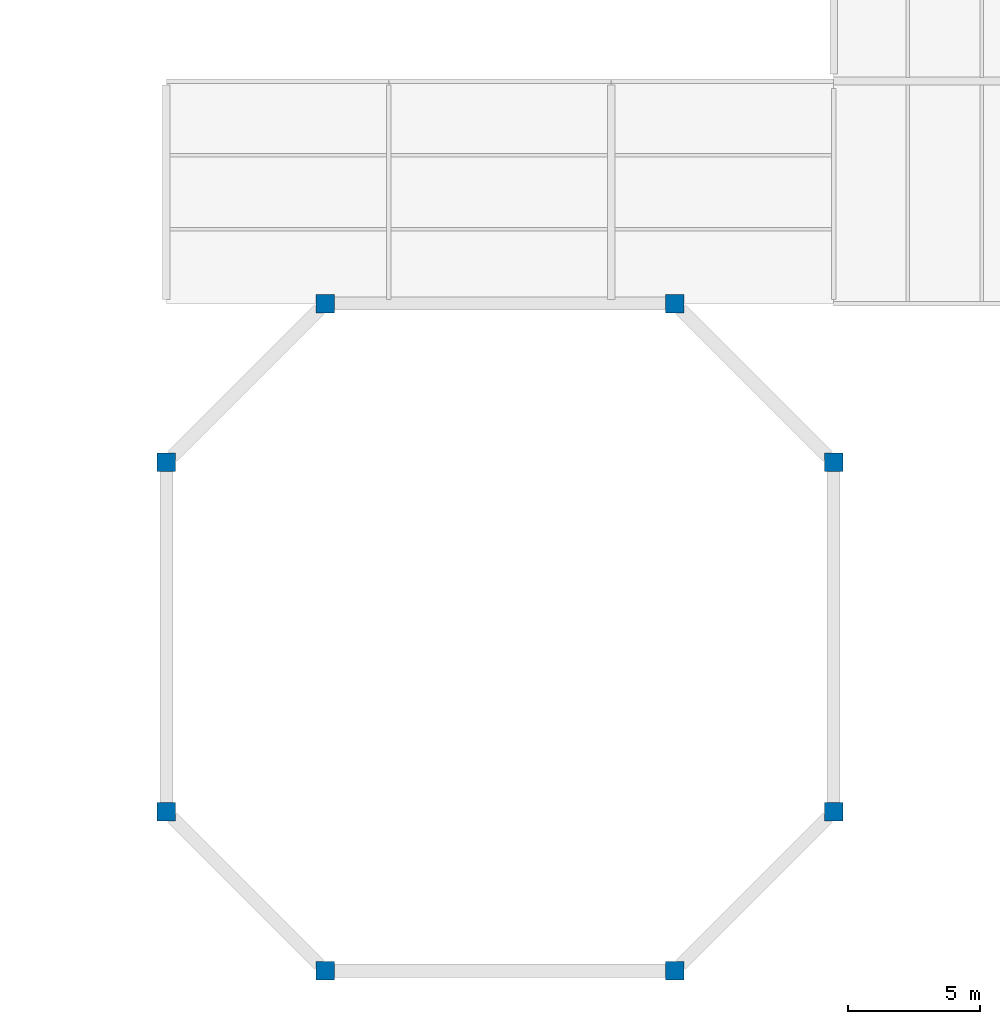
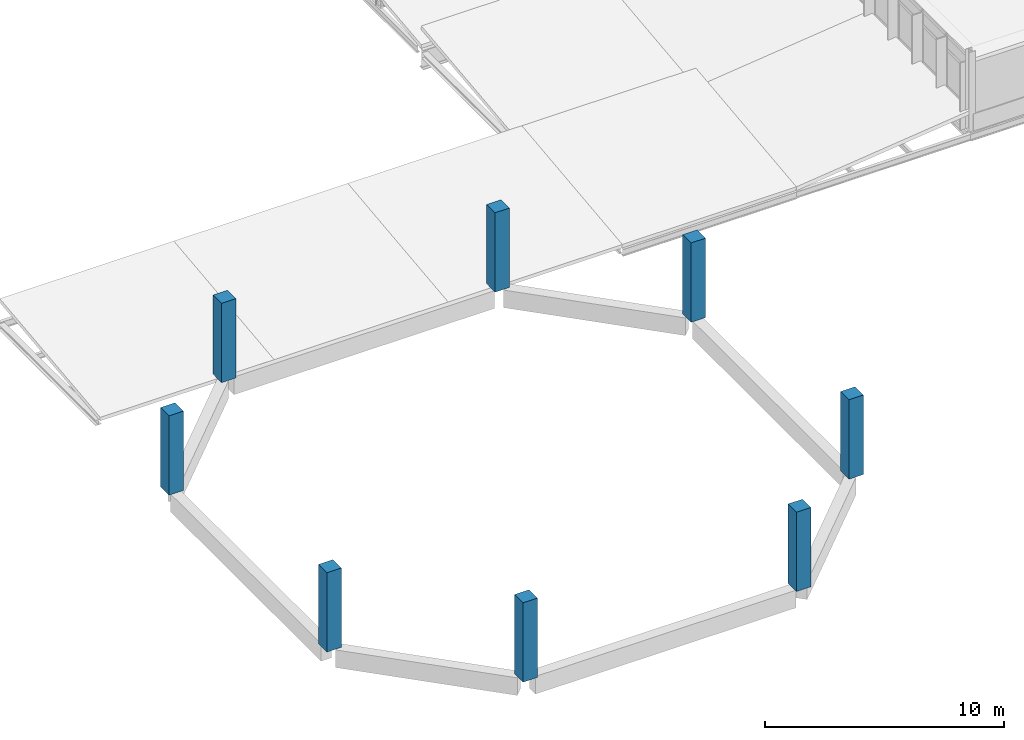
# One storey, part 1 of 131: 8 columns.
"""IFC4 building model written with IfcOpenShell, lengths in metres."""

from ifc_helpers import new_model, si_unit, direction, frame, origin, origin_2d, place, context, subcontext, project, spatial, rectangle, extrude, material, material_profile, profile_set, type_object, element, save


model = new_model("IFC4")

# Units and contexts
model_context = context("Model", 3, precision=1e-05, world=origin(), true_north=direction((0.0, 1.0)))
body_context = subcontext(model_context, "Body", "Model", "MODEL_VIEW")
ifc_project = project(units=[si_unit("LENGTHUNIT", "METRE"), si_unit("AREAUNIT", "SQUARE_METRE"), si_unit("VOLUMEUNIT", "CUBIC_METRE"), si_unit("PLANEANGLEUNIT", "RADIAN"), si_unit("MASSUNIT", "GRAM", prefix="KILO")], contexts=[model_context])

# Site, building, storey
site_placement = place(None, origin())
site = spatial("IfcSite", under=ifc_project, at=site_placement, CompositionType="ELEMENT")
building_placement = place(site_placement, origin())
building = spatial("IfcBuilding", under=site, at=building_placement, Name="Mersafa Astral City Hall", CompositionType="ELEMENT")
storey_placement = place(building_placement, frame((0.0, 0.0, 13.949951171875)))
storey = spatial("IfcBuildingStorey", under=building, at=storey_placement, Name="L03", CompositionType="ELEMENT", Elevation=13.949951171875)

# Columns
ifc_material = material(Name="Concrete C40/50", Category="concrete")
ifc_material_profile = material_profile(ifc_material, rectangle(XDim=0.699951171875, YDim=0.699951171875, at=origin_2d()), Name="RC 700x700")
ifc_profile_set = profile_set([ifc_material_profile], Name="Concrete C40/50")
column_type = type_object("IfcColumnType", Name="STR-COL-RC700", PredefinedType="COLUMN", material=ifc_profile_set)
for number, where, z_axis, x_axis, name in (
    (1, (73.199951171875, 0.0, 0.0), (0.0, 0.0, 1.0), (1.0, 0.0, 0.0), "L03 Chamber perimeter column OCT-1"),
    (2, (86.39990234375, 0.0, 0.0), (0.0, 0.0, 1.0), (1.0, 0.0, 0.0), "L03 Chamber perimeter column OCT-2"),
    (3, (92.39990234375, 6.0, 0.0), (0.0, 0.0, 1.0), (1.0, 0.0, 0.0), "L03 Chamber perimeter column OCT-3"),
    (4, (92.39990234375, 19.199951171875, 0.0), (0.0, 0.0, 1.0), (1.0, 0.0, 0.0), "L03 Chamber perimeter column OCT-4"),
    (5, (86.39990234375, 25.199951171875, 0.0), (0.0, 0.0, 1.0), (1.0, 0.0, 0.0), "L03 Chamber perimeter column OCT-5"),
    (6, (73.199951171875, 25.199951171875, 0.0), (0.0, 0.0, 1.0), (1.0, 0.0, 0.0), "L03 Chamber perimeter column OCT-6"),
    (7, (67.199951171875, 19.199951171875, 0.0), (0.0, 0.0, 1.0), (1.0, 0.0, 0.0), "L03 Chamber perimeter column OCT-7"),
    (8, (67.199951171875, 6.0, 0.0), (0.0, 0.0, 1.0), (1.0, 0.0, 0.0), "L03 Chamber perimeter column OCT-8"),
):
    element("IfcColumn", number, at=place(storey_placement, frame(where, z_axis=z_axis, x_axis=x_axis)), inside=storey, type_object=column_type, Name=name, PredefinedType="COLUMN", context=body_context, shape_type="SweptSolid", body=[
        extrude(rectangle(XDim=0.699951171875, YDim=0.699951171875, at=origin_2d()), origin(), (0.0, 0.0, 1.0), 4.050048828125),
    ])

save(model, "model.ifc")
